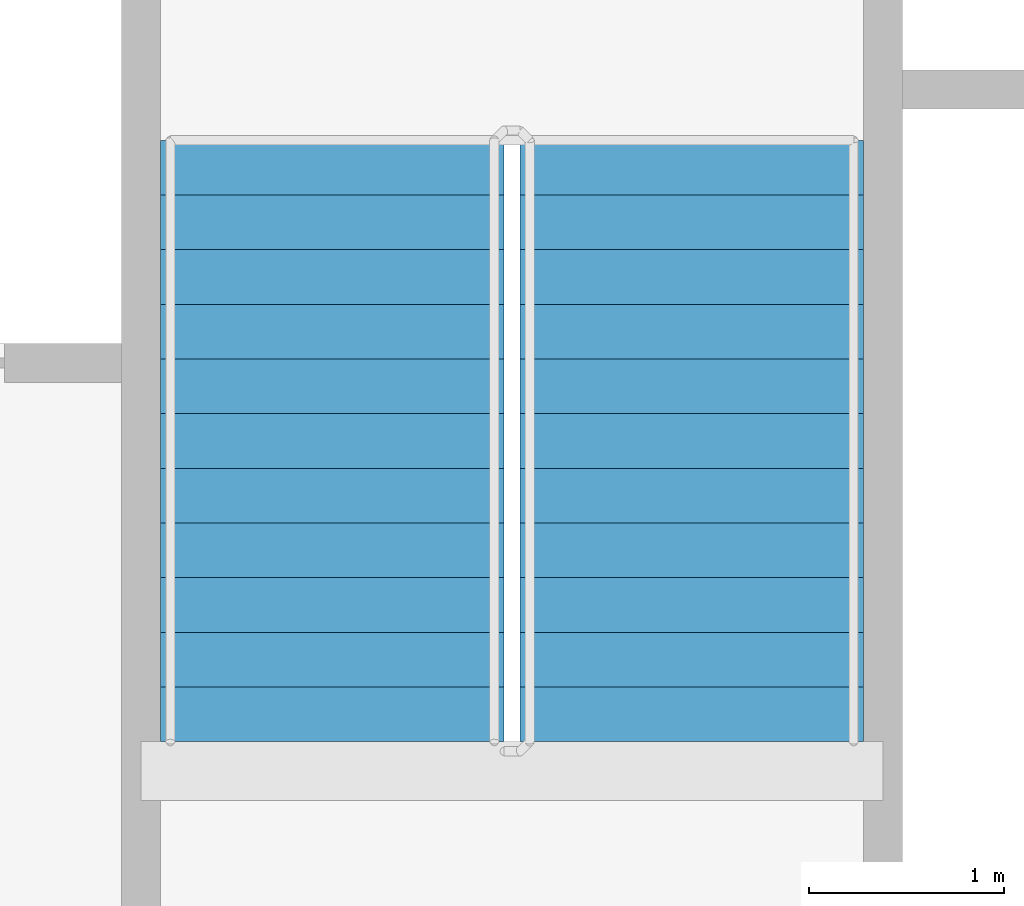
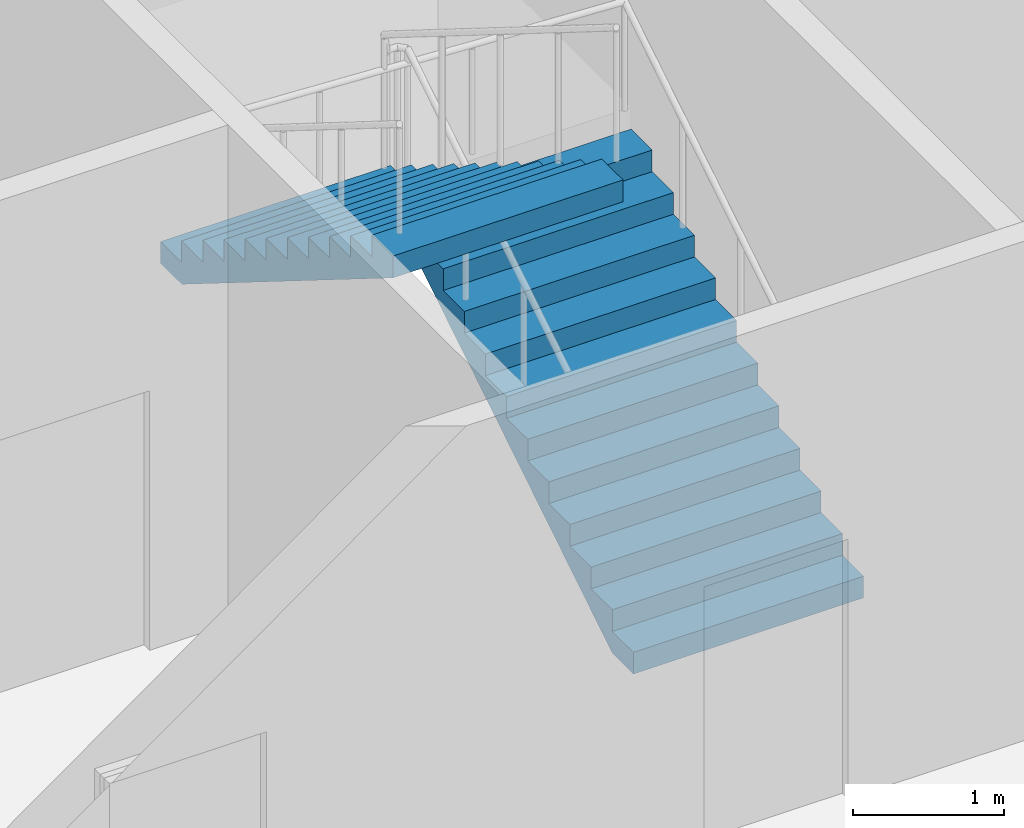
# One storey, part 30 of 35: 2 stair flights, 1 element without a shape of its own.
"""IFC4 building model written with IfcOpenShell, lengths in metres."""

from ifc_helpers import new_model, si_unit, direction, frame, origin, place, context, subcontext, project, spatial, faceted_brep, material, type_object, element, aggregate, save


model = new_model("IFC4")

# Units and contexts
model_context = context("Model", 3, precision=1e-05, world=origin(), true_north=direction((0.0, 1.0)))
body_context = subcontext(model_context, "Body", "Model", "MODEL_VIEW")
ifc_project = project(units=[si_unit("LENGTHUNIT", "METRE"), si_unit("AREAUNIT", "SQUARE_METRE"), si_unit("VOLUMEUNIT", "CUBIC_METRE"), si_unit("PLANEANGLEUNIT", "RADIAN"), si_unit("MASSUNIT", "GRAM", prefix="KILO")], contexts=[model_context])

# Site, building, storey
site_placement = place(None, origin())
site = spatial("IfcSite", under=ifc_project, at=site_placement, CompositionType="ELEMENT")
building_placement = place(site_placement, origin())
building = spatial("IfcBuilding", under=site, at=building_placement, Name="Tarsis Ring Headquarters", CompositionType="ELEMENT")
storey_placement = place(building_placement, frame((0.0, 0.0, 377.60009765625)))
storey = spatial("IfcBuildingStorey", under=building, at=storey_placement, Name="L89", CompositionType="ELEMENT", Elevation=377.60009765625)

# Stair, stair flights
ifc_material_1 = material(Name="Core stair 1760")
stair_type = type_object("IfcStairType", Name="Core stair 1760", PredefinedType="HALF_TURN_STAIR", material=ifc_material_1)
stair_placement = place(storey_placement, origin())
stair = element("IfcStair", 1, at=stair_placement, inside=storey, type_object=stair_type, Name="L89 Exit stair B", PredefinedType="HALF_TURN_STAIR")
ifc_material_2 = material(Name="Concrete C40/50", Category="concrete")
stair_flight_type = type_object("IfcStairFlightType", Name="Core stair flight 1760", PredefinedType="STRAIGHT", material=ifc_material_2)
stair_flight_1_placement = place(storey_placement, frame((5.419921875, 3.659912109375, 0.0), z_axis=(0.0, 0.0, 1.0), x_axis=(0.0, 1.0, 0.0)))
stair_flight_1 = element("IfcStairFlight", 2, at=stair_flight_1_placement, type_object=stair_flight_type, Name="Stair ST2 flight 1", NumberOfRisers=12, NumberOfTreads=11, PredefinedType="STRAIGHT", RiserHeight=0.175, TreadLength=0.28, context=body_context, shape_type="Brep", body=[
    faceted_brep([(0.0, 0.8798828125, 0.0), (0.0, 0.8798828125, 0.175048828125), (0.280029296875, 0.8798828125, 0.175048828125), (0.280029296875, 0.8798828125, 0.35009765625), (0.56005859375, 0.8798828125, 0.35009765625), (0.56005859375, 0.8798828125, 0.52490234375), (0.840087890625, 0.8798828125, 0.52490234375), (0.840087890625, 0.8798828125, 0.699951171875), (1.1201171875, 0.8798828125, 0.699951171875), (1.1201171875, 0.8798828125, 0.875), (1.39990234375, 0.8798828125, 0.875), (1.39990234375, 0.8798828125, 1.050048828125), (1.679931640625, 0.8798828125, 1.050048828125), (1.679931640625, 0.8798828125, 1.22509765625), (1.9599609375, 0.8798828125, 1.22509765625), (1.9599609375, 0.8798828125, 1.39990234375), (2.239990234375, 0.8798828125, 1.39990234375), (2.239990234375, 0.8798828125, 1.574951171875), (2.52001953125, 0.8798828125, 1.574951171875), (2.52001953125, 0.8798828125, 1.75), (2.800048828125, 0.8798828125, 1.75), (2.800048828125, 0.8798828125, 1.925048828125), (3.080078125, 0.8798828125, 1.925048828125), (3.080078125, 0.8798828125, 1.748291015625), (0.28271484375, 0.8798828125, 0.0), (0.28271484375, -0.8798828125, 0.0), (3.080078125, -0.8798828125, 1.748291015625), (3.080078125, -0.8798828125, 1.925048828125), (2.800048828125, -0.8798828125, 1.925048828125), (2.800048828125, -0.8798828125, 1.75), (2.52001953125, -0.8798828125, 1.75), (2.52001953125, -0.8798828125, 1.574951171875), (2.239990234375, -0.8798828125, 1.574951171875), (2.239990234375, -0.8798828125, 1.39990234375), (1.9599609375, -0.8798828125, 1.39990234375), (1.9599609375, -0.8798828125, 1.22509765625), (1.679931640625, -0.8798828125, 1.22509765625), (1.679931640625, -0.8798828125, 1.050048828125), (1.39990234375, -0.8798828125, 1.050048828125), (1.39990234375, -0.8798828125, 0.875), (1.1201171875, -0.8798828125, 0.875), (1.1201171875, -0.8798828125, 0.699951171875), (0.840087890625, -0.8798828125, 0.699951171875), (0.840087890625, -0.8798828125, 0.52490234375), (0.56005859375, -0.8798828125, 0.52490234375), (0.56005859375, -0.8798828125, 0.35009765625), (0.280029296875, -0.8798828125, 0.35009765625), (0.280029296875, -0.8798828125, 0.175048828125), (0.0, -0.8798828125, 0.175048828125), (0.0, -0.8798828125, 0.0), (0.0, -0.43994140625, 0.175048828125), (0.0, -0.43994140625, 0.0), (0.0, 0.0, 0.175048828125), (0.0, 0.0, 0.0), (0.0, 0.43994140625, 0.175048828125), (0.0, 0.43994140625, 0.0), (0.280029296875, -0.43994140625, 0.175048828125), (0.280029296875, 0.0, 0.175048828125), (0.280029296875, 0.43994140625, 0.175048828125), (0.280029296875, -0.43994140625, 0.35009765625), (0.280029296875, 0.0, 0.35009765625), (0.280029296875, 0.43994140625, 0.35009765625), (0.56005859375, -0.43994140625, 0.35009765625), (0.56005859375, 0.0, 0.35009765625), (0.56005859375, 0.43994140625, 0.35009765625), (0.56005859375, -0.43994140625, 0.52490234375), (0.56005859375, 0.0, 0.52490234375), (0.56005859375, 0.43994140625, 0.52490234375), (0.840087890625, -0.43994140625, 0.52490234375), (0.840087890625, 0.0, 0.52490234375), (0.840087890625, 0.43994140625, 0.52490234375), (0.840087890625, -0.43994140625, 0.699951171875), (0.840087890625, 0.0, 0.699951171875), (0.840087890625, 0.43994140625, 0.699951171875), (1.1201171875, -0.43994140625, 0.699951171875), (1.1201171875, 0.0, 0.699951171875), (1.1201171875, 0.43994140625, 0.699951171875), (1.1201171875, -0.43994140625, 0.875), (1.1201171875, 0.0, 0.875), (1.1201171875, 0.43994140625, 0.875), (1.39990234375, -0.43994140625, 0.875), (1.39990234375, 0.0, 0.875), (1.39990234375, 0.43994140625, 0.875), (1.39990234375, -0.43994140625, 1.050048828125), (1.39990234375, 0.0, 1.050048828125), (1.39990234375, 0.43994140625, 1.050048828125), (1.679931640625, -0.43994140625, 1.050048828125), (1.679931640625, 0.0, 1.050048828125), (1.679931640625, 0.43994140625, 1.050048828125), (1.679931640625, -0.43994140625, 1.22509765625), (1.679931640625, 0.0, 1.22509765625), (1.679931640625, 0.43994140625, 1.22509765625), (1.9599609375, -0.43994140625, 1.22509765625), (1.9599609375, 0.0, 1.22509765625), (1.9599609375, 0.43994140625, 1.22509765625), (1.9599609375, -0.43994140625, 1.39990234375), (1.9599609375, 0.0, 1.39990234375), (1.9599609375, 0.43994140625, 1.39990234375), (2.239990234375, -0.43994140625, 1.39990234375), (2.239990234375, 0.0, 1.39990234375), (2.239990234375, 0.43994140625, 1.39990234375), (2.239990234375, -0.43994140625, 1.574951171875), (2.239990234375, 0.0, 1.574951171875), (2.239990234375, 0.43994140625, 1.574951171875), (2.52001953125, -0.43994140625, 1.574951171875), (2.52001953125, 0.0, 1.574951171875), (2.52001953125, 0.43994140625, 1.574951171875), (2.52001953125, -0.43994140625, 1.75), (2.52001953125, 0.0, 1.75), (2.52001953125, 0.43994140625, 1.75), (2.800048828125, -0.43994140625, 1.75), (2.800048828125, 0.0, 1.75), (2.800048828125, 0.43994140625, 1.75), (2.800048828125, -0.43994140625, 1.925048828125), (2.800048828125, 0.0, 1.925048828125), (2.800048828125, 0.43994140625, 1.925048828125), (3.080078125, -0.43994140625, 1.925048828125), (3.080078125, 0.0, 1.925048828125), (3.080078125, 0.43994140625, 1.925048828125), (3.080078125, -0.43994140625, 1.748291015625), (3.080078125, 0.0, 1.748291015625), (3.080078125, 0.43994140625, 1.748291015625), (0.28271484375, -0.43994140625, 0.0), (0.28271484375, 0.0, 0.0), (0.28271484375, 0.43994140625, 0.0)], [[[0, 1, 2, 3, 4, 5, 6, 7, 8, 9, 10, 11, 12, 13, 14, 15, 16, 17, 18, 19, 20, 21, 22, 23, 24]], [[25, 26, 27, 28, 29, 30, 31, 32, 33, 34, 35, 36, 37, 38, 39, 40, 41, 42, 43, 44, 45, 46, 47, 48, 49]], [[49, 48, 50, 51]], [[51, 50, 52, 53]], [[53, 52, 54, 55]], [[55, 54, 1, 0]], [[48, 47, 56, 50]], [[50, 56, 57, 52]], [[52, 57, 58, 54]], [[54, 58, 2, 1]], [[47, 46, 59, 56]], [[56, 59, 60, 57]], [[57, 60, 61, 58]], [[58, 61, 3, 2]], [[46, 45, 62, 59]], [[59, 62, 63, 60]], [[60, 63, 64, 61]], [[61, 64, 4, 3]], [[45, 44, 65, 62]], [[62, 65, 66, 63]], [[63, 66, 67, 64]], [[64, 67, 5, 4]], [[44, 43, 68, 65]], [[65, 68, 69, 66]], [[66, 69, 70, 67]], [[67, 70, 6, 5]], [[43, 42, 71, 68]], [[68, 71, 72, 69]], [[69, 72, 73, 70]], [[70, 73, 7, 6]], [[42, 41, 74, 71]], [[71, 74, 75, 72]], [[72, 75, 76, 73]], [[73, 76, 8, 7]], [[41, 40, 77, 74]], [[74, 77, 78, 75]], [[75, 78, 79, 76]], [[76, 79, 9, 8]], [[40, 39, 80, 77]], [[77, 80, 81, 78]], [[78, 81, 82, 79]], [[79, 82, 10, 9]], [[39, 38, 83, 80]], [[80, 83, 84, 81]], [[81, 84, 85, 82]], [[82, 85, 11, 10]], [[38, 37, 86, 83]], [[83, 86, 87, 84]], [[84, 87, 88, 85]], [[85, 88, 12, 11]], [[37, 36, 89, 86]], [[86, 89, 90, 87]], [[87, 90, 91, 88]], [[88, 91, 13, 12]], [[36, 35, 92, 89]], [[89, 92, 93, 90]], [[90, 93, 94, 91]], [[91, 94, 14, 13]], [[35, 34, 95, 92]], [[92, 95, 96, 93]], [[93, 96, 97, 94]], [[94, 97, 15, 14]], [[34, 33, 98, 95]], [[95, 98, 99, 96]], [[96, 99, 100, 97]], [[97, 100, 16, 15]], [[33, 32, 101, 98]], [[98, 101, 102, 99]], [[99, 102, 103, 100]], [[100, 103, 17, 16]], [[32, 31, 104, 101]], [[101, 104, 105, 102]], [[102, 105, 106, 103]], [[103, 106, 18, 17]], [[31, 30, 107, 104]], [[104, 107, 108, 105]], [[105, 108, 109, 106]], [[106, 109, 19, 18]], [[30, 29, 110, 107]], [[107, 110, 111, 108]], [[108, 111, 112, 109]], [[109, 112, 20, 19]], [[29, 28, 113, 110]], [[110, 113, 114, 111]], [[111, 114, 115, 112]], [[112, 115, 21, 20]], [[28, 27, 116, 113]], [[113, 116, 117, 114]], [[114, 117, 118, 115]], [[115, 118, 22, 21]], [[27, 26, 119, 116]], [[116, 119, 120, 117]], [[117, 120, 121, 118]], [[118, 121, 23, 22]], [[26, 25, 122, 119]], [[119, 122, 123, 120]], [[120, 123, 124, 121]], [[121, 124, 24, 23]], [[25, 49, 51, 122]], [[122, 51, 53, 123]], [[123, 53, 55, 124]], [[124, 55, 0, 24]]]),
])
stair_flight_2_placement = place(storey_placement, frame((3.580078125, 6.739990234375, 2.099853515625), z_axis=(0.0, 0.0, 1.0), x_axis=(0.0, -1.0, 0.0)))
stair_flight_2 = element("IfcStairFlight", 3, at=stair_flight_2_placement, type_object=stair_flight_type, Name="Stair ST2 flight 2", NumberOfRisers=12, NumberOfTreads=11, PredefinedType="STRAIGHT", RiserHeight=0.175, TreadLength=0.28, context=body_context, shape_type="Brep", body=[
    faceted_brep([(0.0, 0.8798828125, 0.0), (0.0, 0.8798828125, 0.175048828125), (0.280029296875, 0.8798828125, 0.175048828125), (0.280029296875, 0.8798828125, 0.35009765625), (0.56005859375, 0.8798828125, 0.35009765625), (0.56005859375, 0.8798828125, 0.52490234375), (0.840087890625, 0.8798828125, 0.52490234375), (0.840087890625, 0.8798828125, 0.699951171875), (1.1201171875, 0.8798828125, 0.699951171875), (1.1201171875, 0.8798828125, 0.875), (1.39990234375, 0.8798828125, 0.875), (1.39990234375, 0.8798828125, 1.050048828125), (1.679931640625, 0.8798828125, 1.050048828125), (1.679931640625, 0.8798828125, 1.22509765625), (1.9599609375, 0.8798828125, 1.22509765625), (1.9599609375, 0.8798828125, 1.39990234375), (2.239990234375, 0.8798828125, 1.39990234375), (2.239990234375, 0.8798828125, 1.574951171875), (2.52001953125, 0.8798828125, 1.574951171875), (2.52001953125, 0.8798828125, 1.75), (2.800048828125, 0.8798828125, 1.75), (2.800048828125, 0.8798828125, 1.925048828125), (3.080078125, 0.8798828125, 1.925048828125), (3.080078125, 0.8798828125, 1.748291015625), (0.28271484375, 0.8798828125, 0.0), (0.28271484375, -0.8798828125, 0.0), (3.080078125, -0.8798828125, 1.748291015625), (3.080078125, -0.8798828125, 1.925048828125), (2.800048828125, -0.8798828125, 1.925048828125), (2.800048828125, -0.8798828125, 1.75), (2.52001953125, -0.8798828125, 1.75), (2.52001953125, -0.8798828125, 1.574951171875), (2.239990234375, -0.8798828125, 1.574951171875), (2.239990234375, -0.8798828125, 1.39990234375), (1.9599609375, -0.8798828125, 1.39990234375), (1.9599609375, -0.8798828125, 1.22509765625), (1.679931640625, -0.8798828125, 1.22509765625), (1.679931640625, -0.8798828125, 1.050048828125), (1.39990234375, -0.8798828125, 1.050048828125), (1.39990234375, -0.8798828125, 0.875), (1.1201171875, -0.8798828125, 0.875), (1.1201171875, -0.8798828125, 0.699951171875), (0.840087890625, -0.8798828125, 0.699951171875), (0.840087890625, -0.8798828125, 0.52490234375), (0.56005859375, -0.8798828125, 0.52490234375), (0.56005859375, -0.8798828125, 0.35009765625), (0.280029296875, -0.8798828125, 0.35009765625), (0.280029296875, -0.8798828125, 0.175048828125), (0.0, -0.8798828125, 0.175048828125), (0.0, -0.8798828125, 0.0), (0.0, -0.43994140625, 0.175048828125), (0.0, -0.43994140625, 0.0), (0.0, 0.0, 0.175048828125), (0.0, 0.0, 0.0), (0.0, 0.43994140625, 0.175048828125), (0.0, 0.43994140625, 0.0), (0.280029296875, -0.43994140625, 0.175048828125), (0.280029296875, 0.0, 0.175048828125), (0.280029296875, 0.43994140625, 0.175048828125), (0.280029296875, -0.43994140625, 0.35009765625), (0.280029296875, 0.0, 0.35009765625), (0.280029296875, 0.43994140625, 0.35009765625), (0.56005859375, -0.43994140625, 0.35009765625), (0.56005859375, 0.0, 0.35009765625), (0.56005859375, 0.43994140625, 0.35009765625), (0.56005859375, -0.43994140625, 0.52490234375), (0.56005859375, 0.0, 0.52490234375), (0.56005859375, 0.43994140625, 0.52490234375), (0.840087890625, -0.43994140625, 0.52490234375), (0.840087890625, 0.0, 0.52490234375), (0.840087890625, 0.43994140625, 0.52490234375), (0.840087890625, -0.43994140625, 0.699951171875), (0.840087890625, 0.0, 0.699951171875), (0.840087890625, 0.43994140625, 0.699951171875), (1.1201171875, -0.43994140625, 0.699951171875), (1.1201171875, 0.0, 0.699951171875), (1.1201171875, 0.43994140625, 0.699951171875), (1.1201171875, -0.43994140625, 0.875), (1.1201171875, 0.0, 0.875), (1.1201171875, 0.43994140625, 0.875), (1.39990234375, -0.43994140625, 0.875), (1.39990234375, 0.0, 0.875), (1.39990234375, 0.43994140625, 0.875), (1.39990234375, -0.43994140625, 1.050048828125), (1.39990234375, 0.0, 1.050048828125), (1.39990234375, 0.43994140625, 1.050048828125), (1.679931640625, -0.43994140625, 1.050048828125), (1.679931640625, 0.0, 1.050048828125), (1.679931640625, 0.43994140625, 1.050048828125), (1.679931640625, -0.43994140625, 1.22509765625), (1.679931640625, 0.0, 1.22509765625), (1.679931640625, 0.43994140625, 1.22509765625), (1.9599609375, -0.43994140625, 1.22509765625), (1.9599609375, 0.0, 1.22509765625), (1.9599609375, 0.43994140625, 1.22509765625), (1.9599609375, -0.43994140625, 1.39990234375), (1.9599609375, 0.0, 1.39990234375), (1.9599609375, 0.43994140625, 1.39990234375), (2.239990234375, -0.43994140625, 1.39990234375), (2.239990234375, 0.0, 1.39990234375), (2.239990234375, 0.43994140625, 1.39990234375), (2.239990234375, -0.43994140625, 1.574951171875), (2.239990234375, 0.0, 1.574951171875), (2.239990234375, 0.43994140625, 1.574951171875), (2.52001953125, -0.43994140625, 1.574951171875), (2.52001953125, 0.0, 1.574951171875), (2.52001953125, 0.43994140625, 1.574951171875), (2.52001953125, -0.43994140625, 1.75), (2.52001953125, 0.0, 1.75), (2.52001953125, 0.43994140625, 1.75), (2.800048828125, -0.43994140625, 1.75), (2.800048828125, 0.0, 1.75), (2.800048828125, 0.43994140625, 1.75), (2.800048828125, -0.43994140625, 1.925048828125), (2.800048828125, 0.0, 1.925048828125), (2.800048828125, 0.43994140625, 1.925048828125), (3.080078125, -0.43994140625, 1.925048828125), (3.080078125, 0.0, 1.925048828125), (3.080078125, 0.43994140625, 1.925048828125), (3.080078125, -0.43994140625, 1.748291015625), (3.080078125, 0.0, 1.748291015625), (3.080078125, 0.43994140625, 1.748291015625), (0.28271484375, -0.43994140625, 0.0), (0.28271484375, 0.0, 0.0), (0.28271484375, 0.43994140625, 0.0)], [[[0, 1, 2, 3, 4, 5, 6, 7, 8, 9, 10, 11, 12, 13, 14, 15, 16, 17, 18, 19, 20, 21, 22, 23, 24]], [[25, 26, 27, 28, 29, 30, 31, 32, 33, 34, 35, 36, 37, 38, 39, 40, 41, 42, 43, 44, 45, 46, 47, 48, 49]], [[49, 48, 50, 51]], [[51, 50, 52, 53]], [[53, 52, 54, 55]], [[55, 54, 1, 0]], [[48, 47, 56, 50]], [[50, 56, 57, 52]], [[52, 57, 58, 54]], [[54, 58, 2, 1]], [[47, 46, 59, 56]], [[56, 59, 60, 57]], [[57, 60, 61, 58]], [[58, 61, 3, 2]], [[46, 45, 62, 59]], [[59, 62, 63, 60]], [[60, 63, 64, 61]], [[61, 64, 4, 3]], [[45, 44, 65, 62]], [[62, 65, 66, 63]], [[63, 66, 67, 64]], [[64, 67, 5, 4]], [[44, 43, 68, 65]], [[65, 68, 69, 66]], [[66, 69, 70, 67]], [[67, 70, 6, 5]], [[43, 42, 71, 68]], [[68, 71, 72, 69]], [[69, 72, 73, 70]], [[70, 73, 7, 6]], [[42, 41, 74, 71]], [[71, 74, 75, 72]], [[72, 75, 76, 73]], [[73, 76, 8, 7]], [[41, 40, 77, 74]], [[74, 77, 78, 75]], [[75, 78, 79, 76]], [[76, 79, 9, 8]], [[40, 39, 80, 77]], [[77, 80, 81, 78]], [[78, 81, 82, 79]], [[79, 82, 10, 9]], [[39, 38, 83, 80]], [[80, 83, 84, 81]], [[81, 84, 85, 82]], [[82, 85, 11, 10]], [[38, 37, 86, 83]], [[83, 86, 87, 84]], [[84, 87, 88, 85]], [[85, 88, 12, 11]], [[37, 36, 89, 86]], [[86, 89, 90, 87]], [[87, 90, 91, 88]], [[88, 91, 13, 12]], [[36, 35, 92, 89]], [[89, 92, 93, 90]], [[90, 93, 94, 91]], [[91, 94, 14, 13]], [[35, 34, 95, 92]], [[92, 95, 96, 93]], [[93, 96, 97, 94]], [[94, 97, 15, 14]], [[34, 33, 98, 95]], [[95, 98, 99, 96]], [[96, 99, 100, 97]], [[97, 100, 16, 15]], [[33, 32, 101, 98]], [[98, 101, 102, 99]], [[99, 102, 103, 100]], [[100, 103, 17, 16]], [[32, 31, 104, 101]], [[101, 104, 105, 102]], [[102, 105, 106, 103]], [[103, 106, 18, 17]], [[31, 30, 107, 104]], [[104, 107, 108, 105]], [[105, 108, 109, 106]], [[106, 109, 19, 18]], [[30, 29, 110, 107]], [[107, 110, 111, 108]], [[108, 111, 112, 109]], [[109, 112, 20, 19]], [[29, 28, 113, 110]], [[110, 113, 114, 111]], [[111, 114, 115, 112]], [[112, 115, 21, 20]], [[28, 27, 116, 113]], [[113, 116, 117, 114]], [[114, 117, 118, 115]], [[115, 118, 22, 21]], [[27, 26, 119, 116]], [[116, 119, 120, 117]], [[117, 120, 121, 118]], [[118, 121, 23, 22]], [[26, 25, 122, 119]], [[119, 122, 123, 120]], [[120, 123, 124, 121]], [[121, 124, 24, 23]], [[25, 49, 51, 122]], [[122, 51, 53, 123]], [[123, 53, 55, 124]], [[124, 55, 0, 24]]]),
])
aggregate(stair, [stair_flight_1, stair_flight_2])

save(model, "model.ifc")
